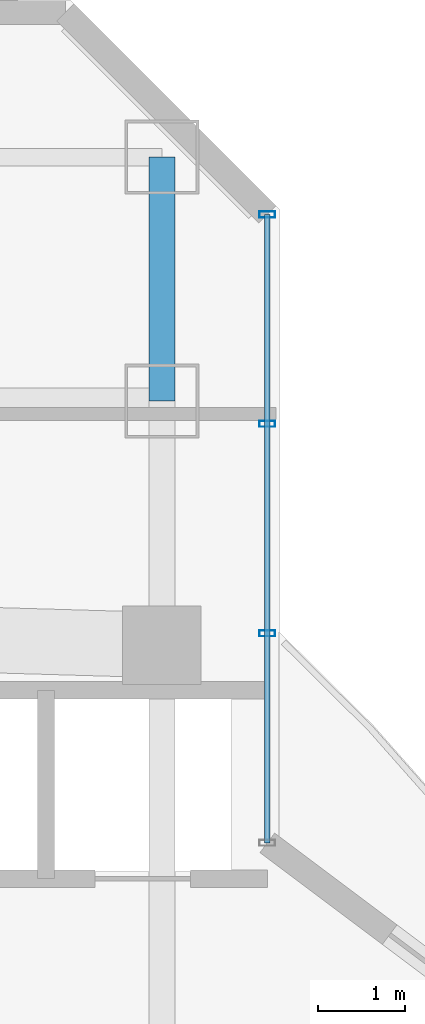
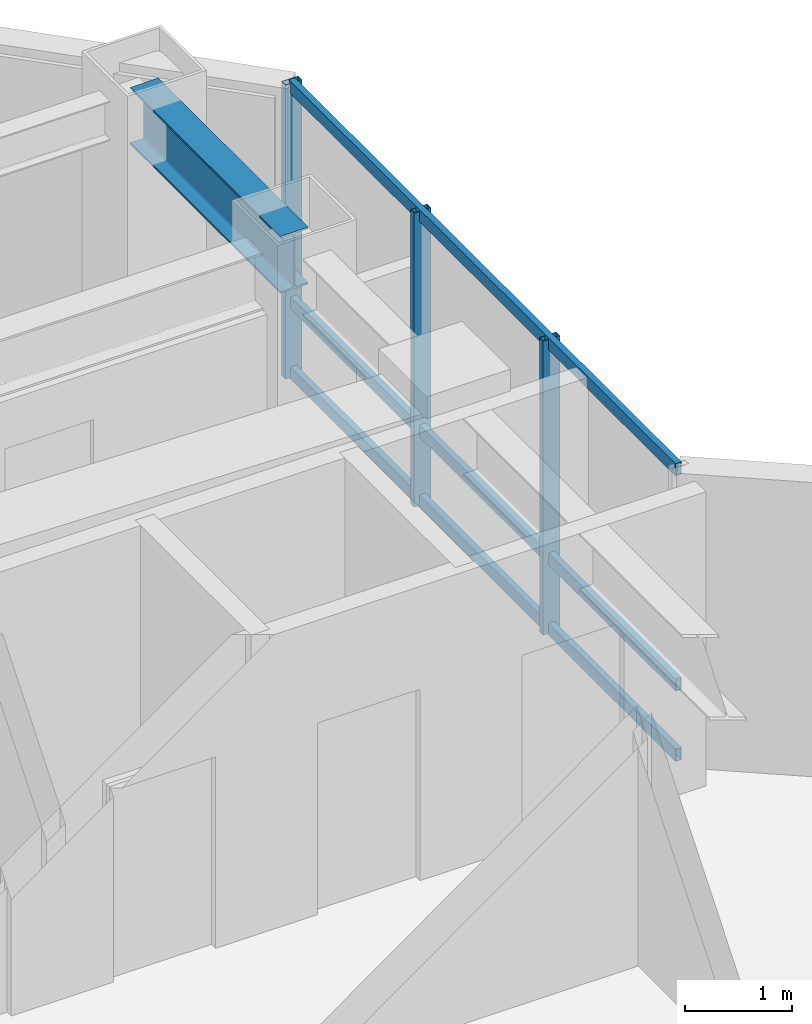
# One storey, part 19 of 27: 6 members, 1 beam, 1 element without a shape of its own.
"""IFC4 building model written with IfcOpenShell, lengths in metres."""

from ifc_helpers import new_model, si_unit, direction, frame, origin, origin_2d, place, context, subcontext, project, spatial, hollow_rectangle, i_section, extrude, material, layer, layer_set, material_profile, profile_set, type_object, element, aggregate, save


model = new_model("IFC4")

# Units and contexts
model_context = context("Model", 3, precision=1e-05, world=origin(), true_north=direction((0.0, 1.0)))
body_context = subcontext(model_context, "Body", "Model", "MODEL_VIEW")
ifc_project = project(units=[si_unit("LENGTHUNIT", "METRE"), si_unit("AREAUNIT", "SQUARE_METRE"), si_unit("VOLUMEUNIT", "CUBIC_METRE"), si_unit("PLANEANGLEUNIT", "RADIAN"), si_unit("MASSUNIT", "GRAM", prefix="KILO")], contexts=[model_context])

# Site, building, storey
site_placement = place(None, origin())
site = spatial("IfcSite", under=ifc_project, at=site_placement, CompositionType="ELEMENT")
building_placement = place(site_placement, origin())
building = spatial("IfcBuilding", under=site, at=building_placement, Name="Hatsunagi Terrace Concourse", CompositionType="ELEMENT")
storey_placement = place(building_placement, frame((0.0, 0.0, 142.050048828125)))
storey = spatial("IfcBuildingStorey", under=building, at=storey_placement, Name="L37", CompositionType="ELEMENT", Elevation=142.050048828125)

# Curtain wall, members
ifc_material_1 = material(Name="Anodised Aluminium Alloy 6063-T5", Category="aluminium")
ifc_layer = layer(ifc_material_1, 0.199951171875)
ifc_layer_set = layer_set([ifc_layer], Name="OfficeZone1_CW03")
curtain_wall_type = type_object("IfcCurtainWallType", Name="OfficeZone1_CW03", PredefinedType="NOTDEFINED", material=ifc_layer_set)
curtain_wall_placement = place(storey_placement, origin())
curtain_wall = element("IfcCurtainWall", 1, at=curtain_wall_placement, inside=storey, type_object=curtain_wall_type, Name="Unitised Curtain Wall CW-03 CW-L37-13", PredefinedType="NOTDEFINED")
ifc_material_2 = material(Name="Anodised Aluminium Alloy 6063-T5", Category="aluminium")
ifc_material_profile_1 = material_profile(ifc_material_2, hollow_rectangle(XDim=0.070068359375, YDim=0.179931640625, WallThickness=0.00390625, at=origin_2d()), Name="ALU-MUL-180x70x4")
ifc_profile_set_1 = profile_set([ifc_material_profile_1], Name="Anodised Aluminium Alloy 6063-T5")
member_type_1 = type_object("IfcMemberType", Name="CurtainWallMullion_180x70", PredefinedType="MULLION", material=ifc_profile_set_1)
member_1_placement = place(storey_placement, frame((44.860107421875, 47.94189453125, 0.0), z_axis=(0.0, 0.0, 1.0), x_axis=(0.0, -1.0, 0.0)))
member_1 = element("IfcMember", 2, at=member_1_placement, type_object=member_type_1, Name="Curtain Wall Mullion MUL-02", PredefinedType="MULLION", context=body_context, shape_type="SweptSolid", body=[
    extrude(hollow_rectangle(XDim=0.070068359375, YDim=0.179931640625, WallThickness=0.00390625, at=origin_2d()), origin(), (0.0, 0.0, 1.0), 3.349853515625),
])
member_2_placement = place(storey_placement, frame((44.860107421875, 45.5380859375, 0.0), z_axis=(0.0, 0.0, 1.0), x_axis=(0.0, -1.0, 0.0)))
member_2 = element("IfcMember", 3, at=member_2_placement, type_object=member_type_1, Name="Curtain Wall Mullion MUL-02", PredefinedType="MULLION", context=body_context, shape_type="SweptSolid", body=[
    extrude(hollow_rectangle(XDim=0.070068359375, YDim=0.179931640625, WallThickness=0.00390625, at=origin_2d()), origin(), (0.0, 0.0, 1.0), 3.349853515625),
])
member_3_placement = place(storey_placement, frame((44.860107421875, 43.134033203125, 0.0), z_axis=(0.0, 0.0, 1.0), x_axis=(0.0, -1.0, 0.0)))
member_3 = element("IfcMember", 4, at=member_3_placement, type_object=member_type_1, Name="Curtain Wall Mullion MUL-02", PredefinedType="MULLION", context=body_context, shape_type="SweptSolid", body=[
    extrude(hollow_rectangle(XDim=0.070068359375, YDim=0.179931640625, WallThickness=0.00390625, at=origin_2d()), origin(), (0.0, 0.0, 1.0), 3.349853515625),
])
ifc_material_3 = material(Name="Anodised Aluminium Alloy 6063-T5", Category="aluminium")
ifc_material_profile_2 = material_profile(ifc_material_3, hollow_rectangle(XDim=0.06494140625, YDim=0.139892578125, WallThickness=0.00390625, at=origin_2d()), Name="ALU-TRN-140x65x4")
ifc_profile_set_2 = profile_set([ifc_material_profile_2], Name="Anodised Aluminium Alloy 6063-T5")
member_type_2 = type_object("IfcMemberType", Name="CurtainWallTransom_140x65", PredefinedType="USERDEFINED", material=ifc_profile_set_2)
member_4_placement = place(storey_placement, frame((44.860107421875, 47.94189453125, 0.050048828125), z_axis=(0.0, -1.0, 0.0), x_axis=(1.0, 0.0, 0.0)))
member_4 = element("IfcMember", 5, at=member_4_placement, type_object=member_type_2, Name="Curtain Wall Transom TRN-02", ObjectType="TRANSOM", PredefinedType="USERDEFINED", context=body_context, shape_type="SweptSolid", body=[
    extrude(hollow_rectangle(XDim=0.06494140625, YDim=0.139892578125, WallThickness=0.00390625, at=origin_2d()), origin(), (0.0, 0.0, 1.0), 7.2119140625),
])
member_5_placement = place(storey_placement, frame((44.860107421875, 47.94189453125, 0.849853515625), z_axis=(0.0, -1.0, 0.0), x_axis=(1.0, 0.0, 0.0)))
member_5 = element("IfcMember", 6, at=member_5_placement, type_object=member_type_2, Name="Curtain Wall Transom TRN-02", ObjectType="TRANSOM", PredefinedType="USERDEFINED", context=body_context, shape_type="SweptSolid", body=[
    extrude(hollow_rectangle(XDim=0.06494140625, YDim=0.139892578125, WallThickness=0.00390625, at=origin_2d()), origin(), (0.0, 0.0, 1.0), 7.2119140625),
])
member_6_placement = place(storey_placement, frame((44.860107421875, 47.94189453125, 3.300048828125), z_axis=(0.0, -1.0, 0.0), x_axis=(1.0, 0.0, 0.0)))
member_6 = element("IfcMember", 7, at=member_6_placement, type_object=member_type_2, Name="Curtain Wall Transom TRN-02", ObjectType="TRANSOM", PredefinedType="USERDEFINED", context=body_context, shape_type="SweptSolid", body=[
    extrude(hollow_rectangle(XDim=0.06494140625, YDim=0.139892578125, WallThickness=0.00390625, at=origin_2d()), origin(), (0.0, 0.0, 1.0), 7.2119140625),
])
aggregate(curtain_wall, [member_1, member_2, member_3, member_4, member_5, member_6])

# Beam
ifc_material_4 = material(Name="Steel SN490B", Category="steel")
ifc_material_profile_3 = material_profile(ifc_material_4, i_section(OverallWidth=0.300048828125, OverallDepth=0.64990234375, WebThickness=0.012939453125, FlangeThickness=0.02197265625, FilletRadius=0.01806640625, at=origin_2d()), Name="H-650x300x13x22")
ifc_profile_set_3 = profile_set([ifc_material_profile_3], Name="Steel SN490B")
beam_type = type_object("IfcBeamType", Name="OfficeLowGirder_H_650x300", PredefinedType="BEAM", material=ifc_profile_set_3)
beam_placement = place(storey_placement, frame((43.64990234375, 45.800048828125, 3.02490234375), z_axis=(0.0, 1.0, 0.0), x_axis=(-1.0, 0.0, 0.0)))
element("IfcBeam", 8, at=beam_placement, inside=storey, type_object=beam_type, Name="Beam G-05 BM-L37-KN-WN6", PredefinedType="BEAM", context=body_context, shape_type="SweptSolid", body=[
    extrude(i_section(OverallWidth=0.300048828125, OverallDepth=0.64990234375, WebThickness=0.012939453125, FlangeThickness=0.02197265625, FilletRadius=0.01806640625, at=origin_2d()), origin(), (0.0, 0.0, 1.0), 2.800048828125),
])

save(model, "model.ifc")
